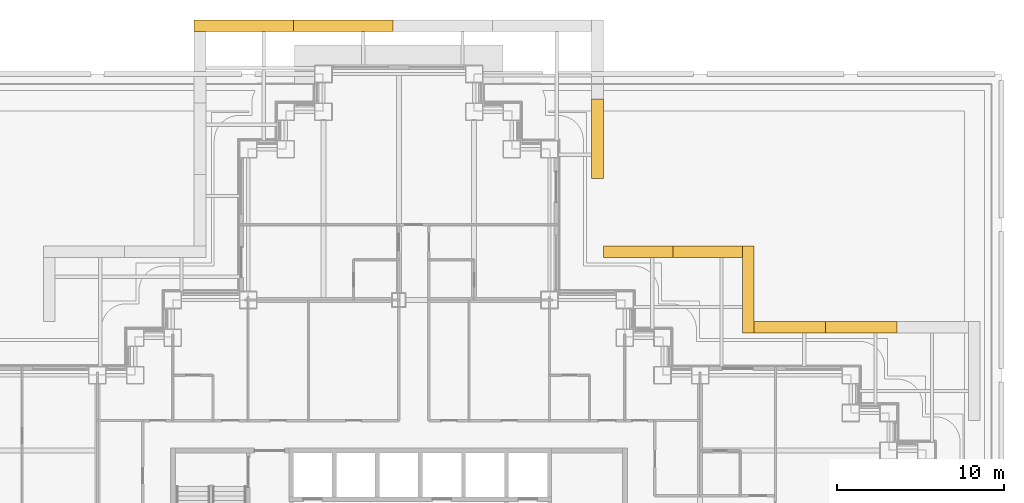
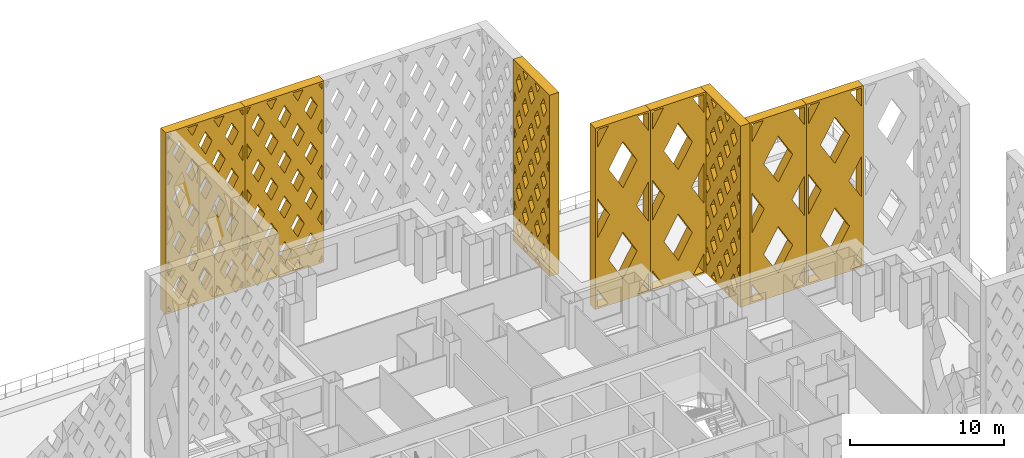
# One storey, part 24 of 26: 8 shading devices.
"""IFC4 building model written with IfcOpenShell, lengths in metres."""

from ifc_helpers import new_model, si_unit, direction, frame, origin, place, context, subcontext, project, spatial, polyline, outline, extrude, material, type_object, element, save


model = new_model("IFC4")

# Units and contexts
model_context = context("Model", 3, precision=1e-05, world=origin(), true_north=direction((0.0, 1.0)))
body_context = subcontext(model_context, "Body", "Model", "MODEL_VIEW")
ifc_project = project(units=[si_unit("LENGTHUNIT", "METRE"), si_unit("AREAUNIT", "SQUARE_METRE"), si_unit("VOLUMEUNIT", "CUBIC_METRE"), si_unit("PLANEANGLEUNIT", "RADIAN"), si_unit("MASSUNIT", "GRAM", prefix="KILO")], contexts=[model_context])

# Site, building, storey
site_placement = place(None, origin())
site = spatial("IfcSite", under=ifc_project, at=site_placement, CompositionType="ELEMENT")
building_placement = place(site_placement, origin())
building = spatial("IfcBuilding", under=site, at=building_placement, Name="Caravel Reach Hotel and Residences", CompositionType="ELEMENT")
storey_placement = place(building_placement, frame((0.0, 0.0, 33.60009765625)))
storey = spatial("IfcBuildingStorey", under=building, at=storey_placement, Name="L06", CompositionType="ELEMENT", Elevation=33.60009765625)

# Shading devices
ifc_material_1 = material(Name="Black powder-coated aluminium", Category="aluminium")
shading_device_type_1 = type_object("IfcShadingDeviceType", Name="Diamond lattice screen panel 4150 x 14400", PredefinedType="USERDEFINED", material=ifc_material_1)
for number, where, z_axis, x_axis, name in (
    (1, (52.02490234375, 43.02490234375, 0.0), (0.0, 1.0, 0.0), (-1.0, 0.0, 0.0), "Lattice screen L06-L09 10.1"),
    (2, (47.875, 43.02490234375, 0.0), (0.0, 1.0, 0.0), (-1.0, 0.0, 0.0), "Lattice screen L06-L09 10.2"),
):
    element("IfcShadingDevice", number, at=place(storey_placement, frame(where, z_axis=z_axis, x_axis=x_axis)), inside=storey, type_object=shading_device_type_1, Name=name, ObjectType="SCREEN", PredefinedType="USERDEFINED", context=body_context, shape_type="SweptSolid", body=[
        extrude(outline(polyline([(0.0, 0.0), (4.14990234375, 0.0), (4.14990234375, 14.39990234375), (0.0, 14.39990234375), (0.0, 0.0)]), holes=[polyline([(0.97802734375, 0.14990234375), (0.14990234375, 1.586669921875), (0.14990234375, 0.14990234375), (0.97802734375, 0.14990234375)]), polyline([(1.064697265625, 7.199951171875), (0.14990234375, 8.786865234375), (0.14990234375, 5.61328125), (1.064697265625, 7.199951171875)]), polyline([(0.14990234375, 12.813232421875), (0.97802734375, 14.25), (0.14990234375, 14.25), (0.14990234375, 12.813232421875)]), polyline([(2.074951171875, 5.447021484375), (1.010498046875, 3.60009765625), (2.074951171875, 1.7529296875), (3.1396484375, 3.60009765625), (2.074951171875, 5.447021484375)]), polyline([(2.074951171875, 12.64697265625), (1.010498046875, 10.800048828125), (2.074951171875, 8.953125), (3.1396484375, 10.800048828125), (2.074951171875, 12.64697265625)]), polyline([(4.0, 1.586669921875), (3.171875, 0.14990234375), (4.0, 0.14990234375), (4.0, 1.586669921875)]), polyline([(3.08544921875, 7.199951171875), (4.0, 5.61328125), (4.0, 8.786865234375), (3.08544921875, 7.199951171875)]), polyline([(3.171875, 14.25), (4.0, 12.813232421875), (4.0, 14.25), (3.171875, 14.25)])]), origin(), (0.0, 0.0, 1.0), 0.7001953125),
    ])
ifc_material_2 = material(Name="Black powder-coated aluminium", Category="aluminium")
shading_device_type_2 = type_object("IfcShadingDeviceType", Name="Diamond lattice screen panel 4267 x 14400", PredefinedType="USERDEFINED", material=ifc_material_2)
for number, where, z_axis, x_axis, name in (
    (3, (61.25830078125, 38.52490234375, 0.0), (0.0, 1.0, 0.0), (-1.0, 0.0, 0.0), "Lattice screen L06-L09 8.2"),
    (4, (56.99169921875, 38.52490234375, 0.0), (0.0, 1.0, 0.0), (-1.0, 0.0, 0.0), "Lattice screen L06-L09 8.3"),
):
    element("IfcShadingDevice", number, at=place(storey_placement, frame(where, z_axis=z_axis, x_axis=x_axis)), inside=storey, type_object=shading_device_type_2, Name=name, ObjectType="SCREEN", PredefinedType="USERDEFINED", context=body_context, shape_type="SweptSolid", body=[
        extrude(outline(polyline([(0.0, 0.0), (4.2666015625, 0.0), (4.2666015625, 14.39990234375), (0.0, 14.39990234375), (0.0, 0.0)]), holes=[polyline([(1.003662109375, 0.14990234375), (0.14990234375, 1.590576171875), (0.14990234375, 0.14990234375), (1.003662109375, 0.14990234375)]), polyline([(1.092529296875, 7.199951171875), (0.14990234375, 8.790771484375), (0.14990234375, 5.609375), (1.092529296875, 7.199951171875)]), polyline([(0.14990234375, 12.809326171875), (1.003662109375, 14.25), (0.14990234375, 14.25), (0.14990234375, 12.809326171875)]), polyline([(2.13330078125, 5.44384765625), (1.040771484375, 3.60009765625), (2.13330078125, 1.756103515625), (3.225830078125, 3.60009765625), (2.13330078125, 5.44384765625)]), polyline([(2.13330078125, 12.643798828125), (1.040771484375, 10.800048828125), (2.13330078125, 8.956298828125), (3.225830078125, 10.800048828125), (2.13330078125, 12.643798828125)]), polyline([(4.11669921875, 1.590576171875), (3.262939453125, 0.14990234375), (4.11669921875, 0.14990234375), (4.11669921875, 1.590576171875)]), polyline([(3.174072265625, 7.199951171875), (4.11669921875, 5.609375), (4.11669921875, 8.790771484375), (3.174072265625, 7.199951171875)]), polyline([(3.262939453125, 14.25), (4.11669921875, 12.809326171875), (4.11669921875, 14.25), (3.262939453125, 14.25)])]), origin(), (0.0, 0.0, 1.0), 0.7001953125),
    ])
ifc_material_3 = material(Name="Black powder-coated aluminium", Category="aluminium")
shading_device_type_3 = type_object("IfcShadingDeviceType", Name="Diamond lattice screen panel 4733 x 14400", PredefinedType="USERDEFINED", material=ifc_material_3)
shading_device_1_placement = place(storey_placement, frame((43.02490234375, 47.75830078125, 0.0), z_axis=(1.0, 0.0, 0.0), x_axis=(0.0, 1.0, 0.0)))
element("IfcShadingDevice", 5, at=shading_device_1_placement, inside=storey, type_object=shading_device_type_3, Name="Lattice screen L06-L09 11.2", ObjectType="SCREEN", PredefinedType="USERDEFINED", context=body_context, shape_type="SweptSolid", body=[
    extrude(outline(polyline([(0.0, 0.0), (4.7333984375, 0.0), (4.7333984375, 14.39990234375), (0.0, 14.39990234375), (0.0, 0.0)]), holes=[polyline([(0.39892578125, 2.8798828125), (0.14990234375, 3.334228515625), (0.14990234375, 2.42578125), (0.39892578125, 2.8798828125)]), polyline([(0.39892578125, 5.760009765625), (0.14990234375, 6.21435546875), (0.14990234375, 5.3056640625), (0.39892578125, 5.760009765625)]), polyline([(0.39892578125, 8.639892578125), (0.14990234375, 9.09423828125), (0.14990234375, 8.185791015625), (0.39892578125, 8.639892578125)]), polyline([(0.39892578125, 11.52001953125), (0.14990234375, 11.974365234375), (0.14990234375, 11.065673828125), (0.39892578125, 11.52001953125)]), polyline([(0.788818359375, 2.16796875), (0.39013671875, 1.43994140625), (0.788818359375, 0.7119140625), (1.187744140625, 1.43994140625), (0.788818359375, 2.16796875)]), polyline([(0.788818359375, 5.048095703125), (0.39013671875, 4.320068359375), (0.788818359375, 3.592041015625), (1.187744140625, 4.320068359375), (0.788818359375, 5.048095703125)]), polyline([(0.788818359375, 7.927978515625), (0.39013671875, 7.199951171875), (0.788818359375, 6.471923828125), (1.187744140625, 7.199951171875), (0.788818359375, 7.927978515625)]), polyline([(0.788818359375, 10.80810546875), (0.39013671875, 10.080078125), (0.788818359375, 9.35205078125), (1.187744140625, 10.080078125), (0.788818359375, 10.80810546875)]), polyline([(0.788818359375, 13.68798828125), (0.39013671875, 12.9599609375), (0.788818359375, 12.23193359375), (1.187744140625, 12.9599609375), (0.788818359375, 13.68798828125)]), polyline([(1.577880859375, 0.72802734375), (1.260986328125, 0.14990234375), (1.89453125, 0.14990234375), (1.577880859375, 0.72802734375)]), polyline([(1.577880859375, 3.608154296875), (1.178955078125, 2.8798828125), (1.577880859375, 2.15185546875), (1.9765625, 2.8798828125), (1.577880859375, 3.608154296875)]), polyline([(1.577880859375, 6.488037109375), (1.178955078125, 5.760009765625), (1.577880859375, 5.031982421875), (1.9765625, 5.760009765625), (1.577880859375, 6.488037109375)]), polyline([(1.577880859375, 9.3681640625), (1.178955078125, 8.639892578125), (1.577880859375, 7.911865234375), (1.9765625, 8.639892578125), (1.577880859375, 9.3681640625)]), polyline([(1.577880859375, 12.248046875), (1.178955078125, 11.52001953125), (1.577880859375, 10.7919921875), (1.9765625, 11.52001953125), (1.577880859375, 12.248046875)]), polyline([(1.577880859375, 13.671875), (1.89453125, 14.25), (1.260986328125, 14.25), (1.577880859375, 13.671875)]), polyline([(2.36669921875, 2.16796875), (1.9677734375, 1.43994140625), (2.36669921875, 0.7119140625), (2.765625, 1.43994140625), (2.36669921875, 2.16796875)]), polyline([(2.36669921875, 5.048095703125), (1.9677734375, 4.320068359375), (2.36669921875, 3.592041015625), (2.765625, 4.320068359375), (2.36669921875, 5.048095703125)]), polyline([(2.36669921875, 7.927978515625), (1.9677734375, 7.199951171875), (2.36669921875, 6.471923828125), (2.765625, 7.199951171875), (2.36669921875, 7.927978515625)]), polyline([(2.36669921875, 10.80810546875), (1.9677734375, 10.080078125), (2.36669921875, 9.35205078125), (2.765625, 10.080078125), (2.36669921875, 10.80810546875)]), polyline([(2.36669921875, 13.68798828125), (1.9677734375, 12.9599609375), (2.36669921875, 12.23193359375), (2.765625, 12.9599609375), (2.36669921875, 13.68798828125)]), polyline([(3.155517578125, 0.72802734375), (2.8388671875, 0.14990234375), (3.47216796875, 0.14990234375), (3.155517578125, 0.72802734375)]), polyline([(3.155517578125, 3.608154296875), (2.756591796875, 2.8798828125), (3.155517578125, 2.15185546875), (3.554443359375, 2.8798828125), (3.155517578125, 3.608154296875)]), polyline([(3.155517578125, 6.488037109375), (2.756591796875, 5.760009765625), (3.155517578125, 5.031982421875), (3.554443359375, 5.760009765625), (3.155517578125, 6.488037109375)]), polyline([(3.155517578125, 9.3681640625), (2.756591796875, 8.639892578125), (3.155517578125, 7.911865234375), (3.554443359375, 8.639892578125), (3.155517578125, 9.3681640625)]), polyline([(3.155517578125, 12.248046875), (2.756591796875, 11.52001953125), (3.155517578125, 10.7919921875), (3.554443359375, 11.52001953125), (3.155517578125, 12.248046875)]), polyline([(3.155517578125, 13.671875), (3.47216796875, 14.25), (2.8388671875, 14.25), (3.155517578125, 13.671875)]), polyline([(3.9443359375, 2.16796875), (3.545654296875, 1.43994140625), (3.9443359375, 0.7119140625), (4.34326171875, 1.43994140625), (3.9443359375, 2.16796875)]), polyline([(3.9443359375, 5.048095703125), (3.545654296875, 4.320068359375), (3.9443359375, 3.592041015625), (4.34326171875, 4.320068359375), (3.9443359375, 5.048095703125)]), polyline([(3.9443359375, 7.927978515625), (3.545654296875, 7.199951171875), (3.9443359375, 6.471923828125), (4.34326171875, 7.199951171875), (3.9443359375, 7.927978515625)]), polyline([(3.9443359375, 10.80810546875), (3.545654296875, 10.080078125), (3.9443359375, 9.35205078125), (4.34326171875, 10.080078125), (3.9443359375, 10.80810546875)]), polyline([(3.9443359375, 13.68798828125), (3.545654296875, 12.9599609375), (3.9443359375, 12.23193359375), (4.34326171875, 12.9599609375), (3.9443359375, 13.68798828125)]), polyline([(4.33447265625, 2.8798828125), (4.583251953125, 2.42578125), (4.583251953125, 3.334228515625), (4.33447265625, 2.8798828125)]), polyline([(4.33447265625, 5.760009765625), (4.583251953125, 5.3056640625), (4.583251953125, 6.21435546875), (4.33447265625, 5.760009765625)]), polyline([(4.33447265625, 8.639892578125), (4.583251953125, 8.185791015625), (4.583251953125, 9.09423828125), (4.33447265625, 8.639892578125)]), polyline([(4.33447265625, 11.52001953125), (4.583251953125, 11.065673828125), (4.583251953125, 11.974365234375), (4.33447265625, 11.52001953125)])]), origin(), (0.0, 0.0, 1.0), 0.7001953125),
])
ifc_material_4 = material(Name="Black powder-coated aluminium", Category="aluminium")
shading_device_type_4 = type_object("IfcShadingDeviceType", Name="Diamond lattice screen panel 5200 x 14400", PredefinedType="USERDEFINED", material=ifc_material_4)
shading_device_2_placement = place(storey_placement, frame((52.02490234375, 38.52490234375, 0.0), z_axis=(1.0, 0.0, 0.0), x_axis=(0.0, 1.0, 0.0)))
element("IfcShadingDevice", 6, at=shading_device_2_placement, inside=storey, type_object=shading_device_type_4, Name="Lattice screen L06-L09 9.1", ObjectType="SCREEN", PredefinedType="USERDEFINED", context=body_context, shape_type="SweptSolid", body=[
    extrude(outline(polyline([(0.0, 0.0), (5.199951171875, 0.0), (5.199951171875, 14.39990234375), (0.0, 14.39990234375), (0.0, 0.0)]), holes=[polyline([(0.436767578125, 2.8798828125), (0.14990234375, 3.3564453125), (0.14990234375, 2.403564453125), (0.436767578125, 2.8798828125)]), polyline([(0.436767578125, 5.760009765625), (0.14990234375, 6.236572265625), (0.14990234375, 5.283447265625), (0.436767578125, 5.760009765625)]), polyline([(0.436767578125, 8.639892578125), (0.14990234375, 9.116455078125), (0.14990234375, 8.16357421875), (0.436767578125, 8.639892578125)]), polyline([(0.436767578125, 11.52001953125), (0.14990234375, 11.99658203125), (0.14990234375, 11.04345703125), (0.436767578125, 11.52001953125)]), polyline([(0.86669921875, 2.165771484375), (0.429931640625, 1.43994140625), (0.86669921875, 0.71435546875), (1.303466796875, 1.43994140625), (0.86669921875, 2.165771484375)]), polyline([(0.86669921875, 5.045654296875), (0.429931640625, 4.320068359375), (0.86669921875, 3.59423828125), (1.303466796875, 4.320068359375), (0.86669921875, 5.045654296875)]), polyline([(0.86669921875, 7.92578125), (0.429931640625, 7.199951171875), (0.86669921875, 6.474365234375), (1.303466796875, 7.199951171875), (0.86669921875, 7.92578125)]), polyline([(0.86669921875, 10.8056640625), (0.429931640625, 10.080078125), (0.86669921875, 9.354248046875), (1.303466796875, 10.080078125), (0.86669921875, 10.8056640625)]), polyline([(0.86669921875, 13.685791015625), (0.429931640625, 12.9599609375), (0.86669921875, 12.234130859375), (1.303466796875, 12.9599609375), (0.86669921875, 13.685791015625)]), polyline([(1.7333984375, 0.725830078125), (1.38671875, 0.14990234375), (2.079833984375, 0.14990234375), (1.7333984375, 0.725830078125)]), polyline([(1.7333984375, 3.605712890625), (1.296630859375, 2.8798828125), (1.7333984375, 2.154296875), (2.170166015625, 2.8798828125), (1.7333984375, 3.605712890625)]), polyline([(1.7333984375, 6.48583984375), (1.296630859375, 5.760009765625), (1.7333984375, 5.0341796875), (2.170166015625, 5.760009765625), (1.7333984375, 6.48583984375)]), polyline([(1.7333984375, 9.36572265625), (1.296630859375, 8.639892578125), (1.7333984375, 7.914306640625), (2.170166015625, 8.639892578125), (1.7333984375, 9.36572265625)]), polyline([(1.7333984375, 12.245849609375), (1.296630859375, 11.52001953125), (1.7333984375, 10.794189453125), (2.170166015625, 11.52001953125), (1.7333984375, 12.245849609375)]), polyline([(1.7333984375, 13.67431640625), (2.079833984375, 14.25), (1.38671875, 14.25), (1.7333984375, 13.67431640625)]), polyline([(2.60009765625, 2.165771484375), (2.1630859375, 1.43994140625), (2.60009765625, 0.71435546875), (3.036865234375, 1.43994140625), (2.60009765625, 2.165771484375)]), polyline([(2.60009765625, 5.045654296875), (2.1630859375, 4.320068359375), (2.60009765625, 3.59423828125), (3.036865234375, 4.320068359375), (2.60009765625, 5.045654296875)]), polyline([(2.60009765625, 7.92578125), (2.1630859375, 7.199951171875), (2.60009765625, 6.474365234375), (3.036865234375, 7.199951171875), (2.60009765625, 7.92578125)]), polyline([(2.60009765625, 10.8056640625), (2.1630859375, 10.080078125), (2.60009765625, 9.354248046875), (3.036865234375, 10.080078125), (2.60009765625, 10.8056640625)]), polyline([(2.60009765625, 13.685791015625), (2.1630859375, 12.9599609375), (2.60009765625, 12.234130859375), (3.036865234375, 12.9599609375), (2.60009765625, 13.685791015625)]), polyline([(3.466552734375, 0.725830078125), (3.1201171875, 0.14990234375), (3.813232421875, 0.14990234375), (3.466552734375, 0.725830078125)]), polyline([(3.466552734375, 3.605712890625), (3.02978515625, 2.8798828125), (3.466552734375, 2.154296875), (3.903564453125, 2.8798828125), (3.466552734375, 3.605712890625)]), polyline([(3.466552734375, 6.48583984375), (3.02978515625, 5.760009765625), (3.466552734375, 5.0341796875), (3.903564453125, 5.760009765625), (3.466552734375, 6.48583984375)]), polyline([(3.466552734375, 9.36572265625), (3.02978515625, 8.639892578125), (3.466552734375, 7.914306640625), (3.903564453125, 8.639892578125), (3.466552734375, 9.36572265625)]), polyline([(3.466552734375, 12.245849609375), (3.02978515625, 11.52001953125), (3.466552734375, 10.794189453125), (3.903564453125, 11.52001953125), (3.466552734375, 12.245849609375)]), polyline([(3.466552734375, 13.67431640625), (3.813232421875, 14.25), (3.1201171875, 14.25), (3.466552734375, 13.67431640625)]), polyline([(4.333251953125, 2.165771484375), (3.896484375, 1.43994140625), (4.333251953125, 0.71435546875), (4.77001953125, 1.43994140625), (4.333251953125, 2.165771484375)]), polyline([(4.333251953125, 5.045654296875), (3.896484375, 4.320068359375), (4.333251953125, 3.59423828125), (4.77001953125, 4.320068359375), (4.333251953125, 5.045654296875)]), polyline([(4.333251953125, 7.92578125), (3.896484375, 7.199951171875), (4.333251953125, 6.474365234375), (4.77001953125, 7.199951171875), (4.333251953125, 7.92578125)]), polyline([(4.333251953125, 10.8056640625), (3.896484375, 10.080078125), (4.333251953125, 9.354248046875), (4.77001953125, 10.080078125), (4.333251953125, 10.8056640625)]), polyline([(4.333251953125, 13.685791015625), (3.896484375, 12.9599609375), (4.333251953125, 12.234130859375), (4.77001953125, 12.9599609375), (4.333251953125, 13.685791015625)]), polyline([(4.76318359375, 2.8798828125), (5.050048828125, 2.403564453125), (5.050048828125, 3.3564453125), (4.76318359375, 2.8798828125)]), polyline([(4.76318359375, 5.760009765625), (5.050048828125, 5.283447265625), (5.050048828125, 6.236572265625), (4.76318359375, 5.760009765625)]), polyline([(4.76318359375, 8.639892578125), (5.050048828125, 8.16357421875), (5.050048828125, 9.116455078125), (4.76318359375, 8.639892578125)]), polyline([(4.76318359375, 11.52001953125), (5.050048828125, 11.04345703125), (5.050048828125, 11.99658203125), (4.76318359375, 11.52001953125)])]), origin(), (0.0, 0.0, 1.0), 0.7001953125),
])
ifc_material_5 = material(Name="Black powder-coated aluminium", Category="aluminium")
shading_device_type_5 = type_object("IfcShadingDeviceType", Name="Diamond lattice screen panel 5937 x 14400", PredefinedType="USERDEFINED", material=ifc_material_5)
shading_device_3_placement = place(storey_placement, frame((31.14990234375, 56.52490234375, 0.0), z_axis=(0.0, 1.0, 0.0), x_axis=(-1.0, 0.0, 0.0)))
element("IfcShadingDevice", 7, at=shading_device_3_placement, inside=storey, type_object=shading_device_type_5, Name="Lattice screen L06-L09 12.3", ObjectType="SCREEN", PredefinedType="USERDEFINED", context=body_context, shape_type="SweptSolid", body=[
    extrude(outline(polyline([(0.0, 0.0), (5.9375, 0.0), (5.9375, 14.39990234375), (0.0, 14.39990234375), (0.0, 0.0)]), holes=[polyline([(0.412353515625, 0.14990234375), (0.14990234375, 0.626953125), (0.14990234375, 0.14990234375), (0.412353515625, 0.14990234375)]), polyline([(0.49462890625, 3.60009765625), (0.14990234375, 4.22705078125), (0.14990234375, 2.972900390625), (0.49462890625, 3.60009765625)]), polyline([(0.49462890625, 7.199951171875), (0.14990234375, 7.826904296875), (0.14990234375, 6.572998046875), (0.49462890625, 7.199951171875)]), polyline([(0.49462890625, 10.800048828125), (0.14990234375, 11.427001953125), (0.14990234375, 10.173095703125), (0.49462890625, 10.800048828125)]), polyline([(0.14990234375, 13.77294921875), (0.412353515625, 14.25), (0.14990234375, 14.25), (0.14990234375, 13.77294921875)]), polyline([(0.989501953125, 2.699951171875), (0.494873046875, 1.800048828125), (0.989501953125, 0.900146484375), (1.484375, 1.800048828125), (0.989501953125, 2.699951171875)]), polyline([(0.989501953125, 6.2998046875), (0.494873046875, 5.39990234375), (0.989501953125, 4.500244140625), (1.484375, 5.39990234375), (0.989501953125, 6.2998046875)]), polyline([(0.989501953125, 9.89990234375), (0.494873046875, 9.0), (0.989501953125, 8.10009765625), (1.484375, 9.0), (0.989501953125, 9.89990234375)]), polyline([(0.989501953125, 13.499755859375), (0.494873046875, 12.60009765625), (0.989501953125, 11.7001953125), (1.484375, 12.60009765625), (0.989501953125, 13.499755859375)]), polyline([(1.979248046875, 0.89990234375), (1.56689453125, 0.14990234375), (2.391357421875, 0.14990234375), (1.979248046875, 0.89990234375)]), polyline([(1.979248046875, 4.499755859375), (1.484375, 3.60009765625), (1.979248046875, 2.7001953125), (2.473876953125, 3.60009765625), (1.979248046875, 4.499755859375)]), polyline([(1.979248046875, 8.099853515625), (1.484375, 7.199951171875), (1.979248046875, 6.300048828125), (2.473876953125, 7.199951171875), (1.979248046875, 8.099853515625)]), polyline([(1.979248046875, 11.699951171875), (1.484375, 10.800048828125), (1.979248046875, 9.900146484375), (2.473876953125, 10.800048828125), (1.979248046875, 11.699951171875)]), polyline([(1.979248046875, 13.500244140625), (2.391357421875, 14.25), (1.56689453125, 14.25), (1.979248046875, 13.500244140625)]), polyline([(2.96875, 2.699951171875), (2.47412109375, 1.800048828125), (2.96875, 0.900146484375), (3.46337890625, 1.800048828125), (2.96875, 2.699951171875)]), polyline([(2.96875, 6.2998046875), (2.47412109375, 5.39990234375), (2.96875, 4.500244140625), (3.46337890625, 5.39990234375), (2.96875, 6.2998046875)]), polyline([(2.96875, 9.89990234375), (2.47412109375, 9.0), (2.96875, 8.10009765625), (3.46337890625, 9.0), (2.96875, 9.89990234375)]), polyline([(2.96875, 13.499755859375), (2.47412109375, 12.60009765625), (2.96875, 11.7001953125), (3.46337890625, 12.60009765625), (2.96875, 13.499755859375)]), polyline([(3.958251953125, 0.89990234375), (3.546142578125, 0.14990234375), (4.37060546875, 0.14990234375), (3.958251953125, 0.89990234375)]), polyline([(3.958251953125, 4.499755859375), (3.463623046875, 3.60009765625), (3.958251953125, 2.7001953125), (4.453125, 3.60009765625), (3.958251953125, 4.499755859375)]), polyline([(3.958251953125, 8.099853515625), (3.463623046875, 7.199951171875), (3.958251953125, 6.300048828125), (4.453125, 7.199951171875), (3.958251953125, 8.099853515625)]), polyline([(3.958251953125, 11.699951171875), (3.463623046875, 10.800048828125), (3.958251953125, 9.900146484375), (4.453125, 10.800048828125), (3.958251953125, 11.699951171875)]), polyline([(3.958251953125, 13.500244140625), (4.37060546875, 14.25), (3.546142578125, 14.25), (3.958251953125, 13.500244140625)]), polyline([(4.947998046875, 2.699951171875), (4.453125, 1.800048828125), (4.947998046875, 0.900146484375), (5.442626953125, 1.800048828125), (4.947998046875, 2.699951171875)]), polyline([(4.947998046875, 6.2998046875), (4.453125, 5.39990234375), (4.947998046875, 4.500244140625), (5.442626953125, 5.39990234375), (4.947998046875, 6.2998046875)]), polyline([(4.947998046875, 9.89990234375), (4.453125, 9.0), (4.947998046875, 8.10009765625), (5.442626953125, 9.0), (4.947998046875, 9.89990234375)]), polyline([(4.947998046875, 13.499755859375), (4.453125, 12.60009765625), (4.947998046875, 11.7001953125), (5.442626953125, 12.60009765625), (4.947998046875, 13.499755859375)]), polyline([(5.78759765625, 0.626953125), (5.525146484375, 0.14990234375), (5.78759765625, 0.14990234375), (5.78759765625, 0.626953125)]), polyline([(5.44287109375, 3.60009765625), (5.78759765625, 2.972900390625), (5.78759765625, 4.22705078125), (5.44287109375, 3.60009765625)]), polyline([(5.44287109375, 7.199951171875), (5.78759765625, 6.572998046875), (5.78759765625, 7.826904296875), (5.44287109375, 7.199951171875)]), polyline([(5.44287109375, 10.800048828125), (5.78759765625, 10.173095703125), (5.78759765625, 11.427001953125), (5.44287109375, 10.800048828125)]), polyline([(5.525146484375, 14.25), (5.78759765625, 13.77294921875), (5.78759765625, 14.25), (5.525146484375, 14.25)])]), origin(), (0.0, 0.0, 1.0), 0.7001953125),
])
shading_device_4_placement = place(storey_placement, frame((25.21240234375, 56.52490234375, 0.0), z_axis=(0.0, 1.0, 0.0), x_axis=(-1.0, 0.0, 0.0)))
element("IfcShadingDevice", 8, at=shading_device_4_placement, inside=storey, type_object=shading_device_type_5, Name="Lattice screen L06-L09 12.4", ObjectType="SCREEN", PredefinedType="USERDEFINED", context=body_context, shape_type="SweptSolid", body=[
    extrude(outline(polyline([(0.0, 0.0), (5.9375, 0.0), (5.9375, 14.39990234375), (0.0, 14.39990234375), (0.0, 0.0)]), holes=[polyline([(0.412353515625, 0.14990234375), (0.14990234375, 0.626953125), (0.14990234375, 0.14990234375), (0.412353515625, 0.14990234375)]), polyline([(0.49462890625, 3.60009765625), (0.14990234375, 4.22705078125), (0.14990234375, 2.972900390625), (0.49462890625, 3.60009765625)]), polyline([(0.49462890625, 7.199951171875), (0.14990234375, 7.826904296875), (0.14990234375, 6.572998046875), (0.49462890625, 7.199951171875)]), polyline([(0.49462890625, 10.800048828125), (0.14990234375, 11.427001953125), (0.14990234375, 10.173095703125), (0.49462890625, 10.800048828125)]), polyline([(0.14990234375, 13.77294921875), (0.412353515625, 14.25), (0.14990234375, 14.25), (0.14990234375, 13.77294921875)]), polyline([(0.989501953125, 2.699951171875), (0.494873046875, 1.800048828125), (0.989501953125, 0.900146484375), (1.484375, 1.800048828125), (0.989501953125, 2.699951171875)]), polyline([(0.989501953125, 6.2998046875), (0.494873046875, 5.39990234375), (0.989501953125, 4.500244140625), (1.484375, 5.39990234375), (0.989501953125, 6.2998046875)]), polyline([(0.989501953125, 9.89990234375), (0.494873046875, 9.0), (0.989501953125, 8.10009765625), (1.484375, 9.0), (0.989501953125, 9.89990234375)]), polyline([(0.989501953125, 13.499755859375), (0.494873046875, 12.60009765625), (0.989501953125, 11.7001953125), (1.484375, 12.60009765625), (0.989501953125, 13.499755859375)]), polyline([(1.979248046875, 0.89990234375), (1.56689453125, 0.14990234375), (2.391357421875, 0.14990234375), (1.979248046875, 0.89990234375)]), polyline([(1.979248046875, 4.499755859375), (1.484375, 3.60009765625), (1.979248046875, 2.7001953125), (2.473876953125, 3.60009765625), (1.979248046875, 4.499755859375)]), polyline([(1.979248046875, 8.099853515625), (1.484375, 7.199951171875), (1.979248046875, 6.300048828125), (2.473876953125, 7.199951171875), (1.979248046875, 8.099853515625)]), polyline([(1.979248046875, 11.699951171875), (1.484375, 10.800048828125), (1.979248046875, 9.900146484375), (2.473876953125, 10.800048828125), (1.979248046875, 11.699951171875)]), polyline([(1.979248046875, 13.500244140625), (2.391357421875, 14.25), (1.56689453125, 14.25), (1.979248046875, 13.500244140625)]), polyline([(2.96875, 2.699951171875), (2.47412109375, 1.800048828125), (2.96875, 0.900146484375), (3.46337890625, 1.800048828125), (2.96875, 2.699951171875)]), polyline([(2.96875, 6.2998046875), (2.47412109375, 5.39990234375), (2.96875, 4.500244140625), (3.46337890625, 5.39990234375), (2.96875, 6.2998046875)]), polyline([(2.96875, 9.89990234375), (2.47412109375, 9.0), (2.96875, 8.10009765625), (3.46337890625, 9.0), (2.96875, 9.89990234375)]), polyline([(2.96875, 13.499755859375), (2.47412109375, 12.60009765625), (2.96875, 11.7001953125), (3.46337890625, 12.60009765625), (2.96875, 13.499755859375)]), polyline([(3.958251953125, 0.89990234375), (3.546142578125, 0.14990234375), (4.37060546875, 0.14990234375), (3.958251953125, 0.89990234375)]), polyline([(3.958251953125, 4.499755859375), (3.463623046875, 3.60009765625), (3.958251953125, 2.7001953125), (4.453125, 3.60009765625), (3.958251953125, 4.499755859375)]), polyline([(3.958251953125, 8.099853515625), (3.463623046875, 7.199951171875), (3.958251953125, 6.300048828125), (4.453125, 7.199951171875), (3.958251953125, 8.099853515625)]), polyline([(3.958251953125, 11.699951171875), (3.463623046875, 10.800048828125), (3.958251953125, 9.900146484375), (4.453125, 10.800048828125), (3.958251953125, 11.699951171875)]), polyline([(3.958251953125, 13.500244140625), (4.37060546875, 14.25), (3.546142578125, 14.25), (3.958251953125, 13.500244140625)]), polyline([(4.947998046875, 2.699951171875), (4.453125, 1.800048828125), (4.947998046875, 0.900146484375), (5.442626953125, 1.800048828125), (4.947998046875, 2.699951171875)]), polyline([(4.947998046875, 6.2998046875), (4.453125, 5.39990234375), (4.947998046875, 4.500244140625), (5.442626953125, 5.39990234375), (4.947998046875, 6.2998046875)]), polyline([(4.947998046875, 9.89990234375), (4.453125, 9.0), (4.947998046875, 8.10009765625), (5.442626953125, 9.0), (4.947998046875, 9.89990234375)]), polyline([(4.947998046875, 13.499755859375), (4.453125, 12.60009765625), (4.947998046875, 11.7001953125), (5.442626953125, 12.60009765625), (4.947998046875, 13.499755859375)]), polyline([(5.78759765625, 0.626953125), (5.525146484375, 0.14990234375), (5.78759765625, 0.14990234375), (5.78759765625, 0.626953125)]), polyline([(5.44287109375, 3.60009765625), (5.78759765625, 2.972900390625), (5.78759765625, 4.22705078125), (5.44287109375, 3.60009765625)]), polyline([(5.44287109375, 7.199951171875), (5.78759765625, 6.572998046875), (5.78759765625, 7.826904296875), (5.44287109375, 7.199951171875)]), polyline([(5.44287109375, 10.800048828125), (5.78759765625, 10.173095703125), (5.78759765625, 11.427001953125), (5.44287109375, 10.800048828125)]), polyline([(5.525146484375, 14.25), (5.78759765625, 13.77294921875), (5.78759765625, 14.25), (5.525146484375, 14.25)])]), origin(), (0.0, 0.0, 1.0), 0.7001953125),
])

save(model, "model.ifc")
